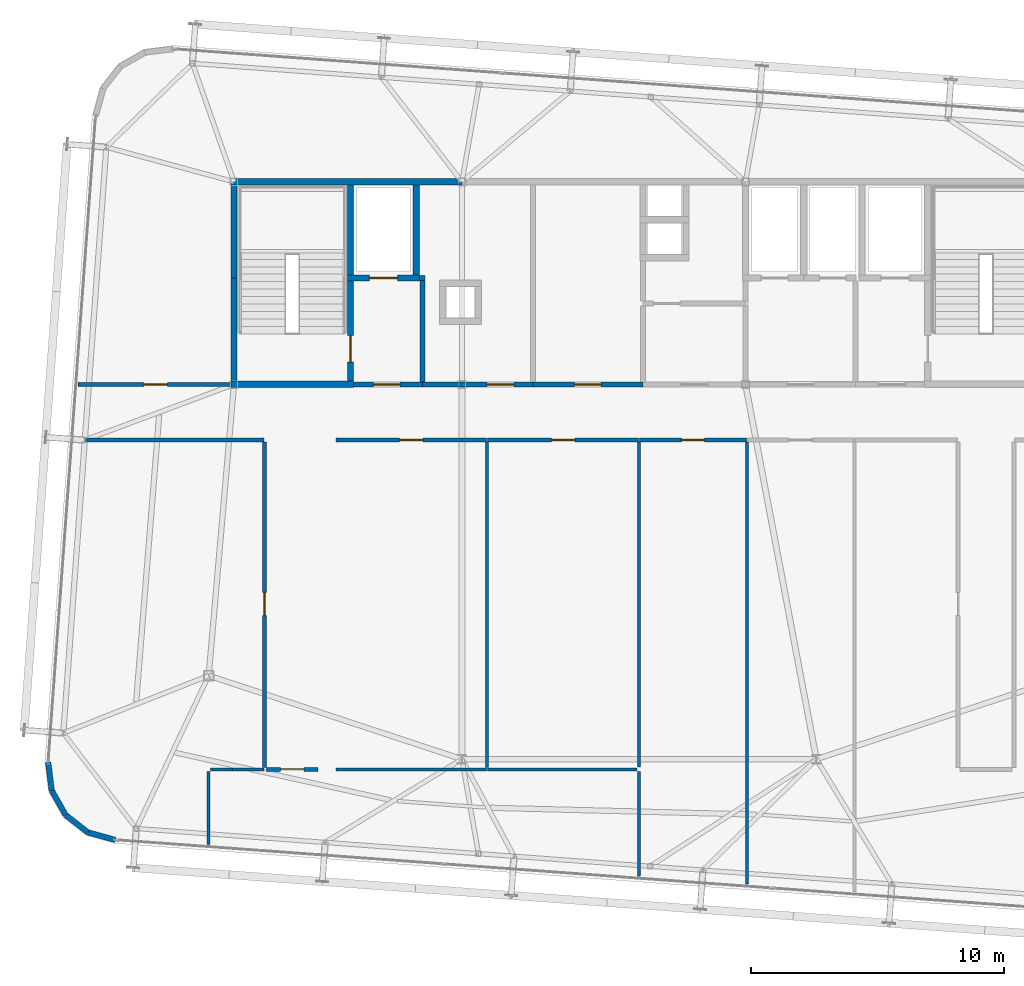
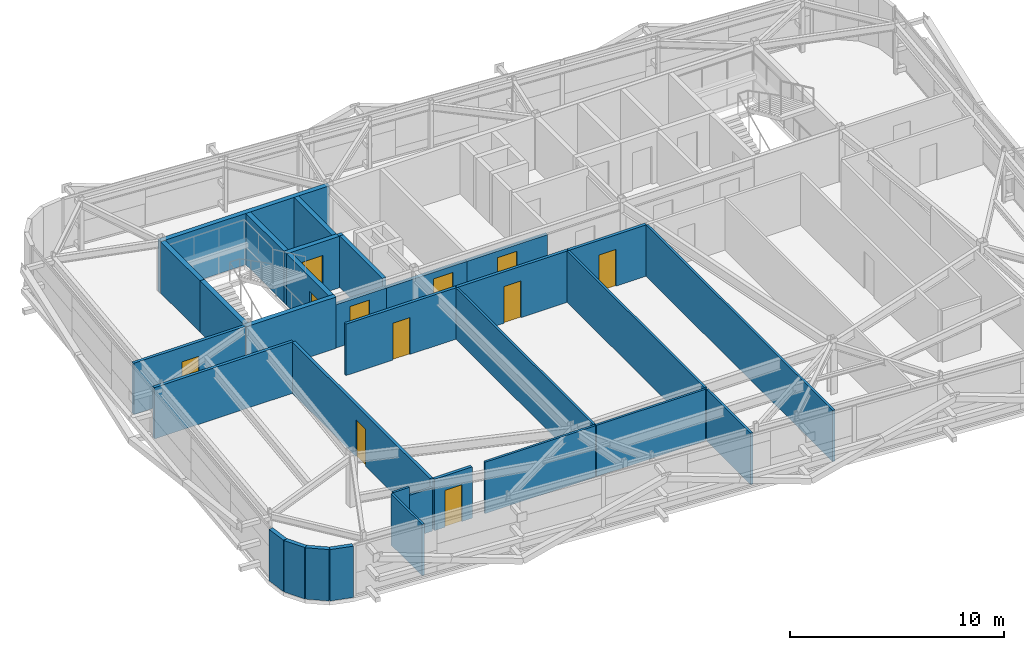
# One storey, part 31 of 34: 33 walls, 11 doors, 11 openings.
"""IFC4 building model written with IfcOpenShell, lengths in metres."""

from ifc_helpers import new_model, si_unit, direction, frame, frame_2d, origin, place, context, subcontext, project, spatial, rectangle, extrude, source, transform, mapped, material, layer, layer_set, type_object, element, fill, save


model = new_model("IFC4")

# Units and contexts
model_context = context("Model", 3, precision=1e-05, world=origin(), true_north=direction((0.0, 1.0)))
body_context = subcontext(model_context, "Body", "Model", "MODEL_VIEW")
ifc_project = project(units=[si_unit("LENGTHUNIT", "METRE"), si_unit("AREAUNIT", "SQUARE_METRE"), si_unit("VOLUMEUNIT", "CUBIC_METRE"), si_unit("PLANEANGLEUNIT", "RADIAN"), si_unit("MASSUNIT", "GRAM", prefix="KILO")], contexts=[model_context])

# Site, building, storey
site_placement = place(None, origin())
site = spatial("IfcSite", under=ifc_project, at=site_placement, CompositionType="ELEMENT")
building_placement = place(site_placement, origin())
building = spatial("IfcBuilding", under=site, at=building_placement, Name="Taldren Reach Tower", CompositionType="ELEMENT")
storey_placement = place(building_placement, frame((0.0, 0.0, 239.75)))
storey = spatial("IfcBuildingStorey", under=building, at=storey_placement, Name="L73", CompositionType="ELEMENT", Elevation=239.75)

# Walls
ifc_material_1 = material(Name="Pale Champagne Anodised Aluminium Cladding", Category="aluminium")
ifc_layer_1 = layer(ifc_material_1, 0.04, Name="Pale Champagne Anodised Aluminium Cladding", Category="aluminium")
ifc_material_2 = material(Name="Mineral Wool Acoustic Insulation", Category="insulation")
ifc_layer_2 = layer(ifc_material_2, 0.06, Name="Mineral Wool Acoustic Insulation", Category="insulation")
ifc_material_3 = material(Name="Steel Gr 350 (C350L0)", Category="steel")
ifc_layer_3 = layer(ifc_material_3, 0.12, Name="Steel Gr 350 (C350L0)", Category="steel")
ifc_layer_set_1 = layer_set([ifc_layer_1, ifc_layer_2, ifc_layer_3], Name="Pale Champagne Aluminium Cladding and Steel Gr 350 Stud Framing")
wall_type_1 = type_object("IfcWallType", Name="EW-CRN-220", PredefinedType="SOLIDWALL", material=ifc_layer_set_1)
shared_shape_1 = source(origin(), body_context, "Body", "SweptSolid", [
    extrude(rectangle(XDim=1.115966796875, YDim=0.219970703125, at=frame_2d((0.55810546875, 0.0))), origin(), (0.0, 0.0, 1.0), 2.929931640625),
])
for number, where, z_axis, x_axis, name in (
    (1, (11.66259765625, 9.072021484375, 0.0), (0.0, 0.0, 1.0), (0.122742076028, -0.992438604032, 0.0), "Rounded-corner pale-metal facade wall L73-SW1"),
    (2, (11.799560546875, 7.964599609375, 0.0), (0.0, 0.0, 1.0), (0.493073284892, -0.869987779067, 0.0), "Rounded-corner pale-metal facade wall L73-SW2"),
    (3, (12.349853515625, 6.99365234375, 0.0), (0.0, 0.0, 1.0), (0.788597772321, -0.614909386406, 0.0), "Rounded-corner pale-metal facade wall L73-SW3"),
):
    element("IfcWall", number, at=place(storey_placement, frame(where, z_axis=z_axis, x_axis=x_axis)), inside=storey, type_object=wall_type_1, Name=name, PredefinedType="SOLIDWALL", context=body_context, shape_type="MappedRepresentation", body=[
        mapped(shared_shape_1, transform((0.0, 0.0, 0.0), scale=1.0)),
    ])
shared_shape_2 = source(origin(), body_context, "Body", "SweptSolid", [
    extrude(rectangle(XDim=1.11572265625, YDim=0.219970703125, at=frame_2d((0.557861328125, 0.0))), origin(), (0.0, 0.0, 1.0), 2.929931640625),
])
wall_1_placement = place(storey_placement, frame((13.22998046875, 6.307373046875, 0.0), z_axis=(0.0, 0.0, 1.0), x_axis=(0.963890028874, -0.266300605026, 0.0)))
element("IfcWall", 4, at=wall_1_placement, inside=storey, type_object=wall_type_1, Name="Rounded-corner pale-metal facade wall L73-SW4", PredefinedType="SOLIDWALL", context=body_context, shape_type="MappedRepresentation", body=[
    mapped(shared_shape_2, transform((0.0, 0.0, 0.0), scale=1.0)),
])

# Wall, opening, door
ifc_material_4 = material(Name="Concrete S50 (50 MPa)", Category="concrete")
ifc_layer_4 = layer(ifc_material_4, 0.199951171875)
ifc_layer_set_2 = layer_set([ifc_layer_4], Name="Concrete S50 (50 MPa)")
wall_type_2 = type_object("IfcWallType", Name="IW-CORE-200", PredefinedType="SOLIDWALL", material=ifc_layer_set_2)
shared_shape_3 = source(origin(), body_context, "Body", "SweptSolid", [
    extrude(rectangle(XDim=4.35009765625, YDim=0.199951171875, at=frame_2d((2.175048828125, 0.0))), origin(), (0.0, 0.0, 1.0), 2.469970703125),
])
wall_2_placement = place(storey_placement, frame((30.800048828125, 24.0, 0.0), z_axis=(0.0, 0.0, 1.0), x_axis=(-1.0, 0.0, 0.0)))
wall_2 = element("IfcWall", 5, at=wall_2_placement, inside=storey, type_object=wall_type_2, Name="Rear Core Shear Wall W-INT-L73-033", PredefinedType="SOLIDWALL", context=body_context, shape_type="MappedRepresentation", body=[
    mapped(shared_shape_3, transform((0.0, 0.0, 0.0), scale=1.0)),
])
shared_shape_4 = source(origin(), body_context, "Body", "SweptSolid", [
    extrude(rectangle(XDim=1.050048828125, YDim=2.10009765625, at=frame_2d((0.52490234375, 1.050048828125))), frame((0.0, 0.10986328125, 0.0), z_axis=(0.0, -1.0, 0.0), x_axis=(1.0, 0.0, 0.0)), (0.0, 0.0, 1.0), 0.219970703125),
])
opening_1_placement = place(wall_2_placement, frame((0.75, 0.0, 0.0)))
opening_1 = element("IfcOpeningElement", 6, at=opening_1_placement, cuts=wall_2, Name="Opening DF-105", PredefinedType="OPENING", context=body_context, shape_type="MappedRepresentation", body=[
    mapped(shared_shape_4, transform((0.0, 0.0, 0.0), scale=1.0)),
])
ifc_material_5 = material(Name="Fire-Rated Care and Stair Exit Door")
door_type_1 = type_object("IfcDoorType", Name="ID-FIRE-105", OperationType="NOTDEFINED", PredefinedType="DOOR", material=ifc_material_5)
shared_shape_5 = source(origin(), body_context, "Body", "SweptSolid", [
    extrude(rectangle(XDim=1.050048828125, YDim=2.10009765625, at=frame_2d((0.52490234375, 1.050048828125))), frame((0.0, 0.02490234375, 0.0), z_axis=(0.0, -1.0, 0.0), x_axis=(1.0, 0.0, 0.0)), (0.0, 0.0, 1.0), 0.050048828125),
])
door_1_placement = place(opening_1_placement, frame((1.050048828125, 0.0, 0.0), z_axis=(0.0, 0.0, 1.0), x_axis=(-1.0, 0.0, 0.0)))
door_1 = element("IfcDoor", 7, at=door_1_placement, inside=storey, type_object=door_type_1, Name="Interior Door DR-L73-006", OperationType="SINGLE_SWING_RIGHT", OverallHeight=2.10009765625, OverallWidth=1.050048828125, PredefinedType="DOOR", context=body_context, shape_type="MappedRepresentation", body=[
    mapped(shared_shape_5, transform((0.0, 0.0, 0.0), scale=1.0)),
])
fill(opening_1, door_1)

ifc_material_6 = material(Name="Fire-Rated Acoustic Plasterboard Stud Wall", Category="gypsum")
ifc_layer_5 = layer(ifc_material_6, 0.159912109375)
ifc_layer_set_3 = layer_set([ifc_layer_5], Name="Fire-Rated Acoustic Plasterboard Stud Wall")
wall_type_3 = type_object("IfcWallType", Name="IW-FIRE-160", PredefinedType="PARTITIONING", material=ifc_layer_set_3)
shared_shape_6 = source(origin(), body_context, "Body", "SweptSolid", [
    extrude(rectangle(XDim=2.0400390625, YDim=0.159912109375, at=frame_2d((1.02001953125, 0.0))), origin(), (0.0, 0.0, 1.0), 2.929931640625),
])
wall_3_placement = place(storey_placement, frame((22.320068359375, 8.800048828125, 0.0), z_axis=(0.0, 0.0, 1.0), x_axis=(-1.0, 0.0, 0.0)))
wall_3 = element("IfcWall", 8, at=wall_3_placement, inside=storey, type_object=wall_type_3, Name="Interior Partition Wall W-INT-L73-039", PredefinedType="PARTITIONING", context=body_context, shape_type="MappedRepresentation", body=[
    mapped(shared_shape_6, transform((0.0, 0.0, 0.0), scale=1.0)),
])
shared_shape_7 = source(origin(), body_context, "Body", "SweptSolid", [
    extrude(rectangle(XDim=0.919921875, YDim=2.10009765625, at=frame_2d((0.4599609375, 1.050048828125))), frame((0.0, 0.08984375, 0.0), z_axis=(0.0, -1.0, 0.0), x_axis=(1.0, 0.0, 0.0)), (0.0, 0.0, 1.0), 0.179931640625),
])
opening_2_placement = place(wall_3_placement, frame((0.56005859375, 0.0, 0.0)))
opening_2 = element("IfcOpeningElement", 9, at=opening_2_placement, cuts=wall_3, Name="Opening DI-092", PredefinedType="OPENING", context=body_context, shape_type="MappedRepresentation", body=[
    mapped(shared_shape_7, transform((0.0, 0.0, 0.0), scale=1.0)),
])
ifc_material_7 = material(Name="Solid-Core Timber Suite Door", Category="wood")
door_type_2 = type_object("IfcDoorType", Name="ID-INT-092", OperationType="NOTDEFINED", PredefinedType="DOOR", material=ifc_material_7)
shared_shape_8 = source(origin(), body_context, "Body", "SweptSolid", [
    extrude(rectangle(XDim=0.919921875, YDim=2.10009765625, at=frame_2d((0.4599609375, 1.050048828125))), frame((0.0, 0.02490234375, 0.0), z_axis=(0.0, -1.0, 0.0), x_axis=(1.0, 0.0, 0.0)), (0.0, 0.0, 1.0), 0.050048828125),
])
door_2_placement = place(opening_2_placement, origin())
door_2 = element("IfcDoor", 10, at=door_2_placement, inside=storey, type_object=door_type_2, Name="Interior Door DR-L73-010", OperationType="SINGLE_SWING_LEFT", OverallHeight=2.10009765625, OverallWidth=0.919921875, PredefinedType="DOOR", context=body_context, shape_type="MappedRepresentation", body=[
    mapped(shared_shape_8, transform((0.0, 0.0, 0.0), scale=1.0)),
])
fill(opening_2, door_2)

shared_shape_9 = source(origin(), body_context, "Body", "SweptSolid", [
    extrude(rectangle(XDim=4.349853515625, YDim=0.199951171875, at=frame_2d((2.1748046875, 0.0))), origin(), (0.0, 0.0, 1.0), 2.469970703125),
])
wall_4_placement = place(storey_placement, frame((35.14990234375, 24.0, 0.0), z_axis=(0.0, 0.0, 1.0), x_axis=(-1.0, 0.0, 0.0)))
wall_4 = element("IfcWall", 11, at=wall_4_placement, inside=storey, type_object=wall_type_2, Name="Rear Core Shear Wall W-INT-L73-036", PredefinedType="SOLIDWALL", context=body_context, shape_type="MappedRepresentation", body=[
    mapped(shared_shape_9, transform((0.0, 0.0, 0.0), scale=1.0)),
])
opening_3_placement = place(wall_4_placement, frame((1.64990234375, 0.0, 0.0)))
opening_3 = element("IfcOpeningElement", 12, at=opening_3_placement, cuts=wall_4, Name="Opening DF-105", PredefinedType="OPENING", context=body_context, shape_type="MappedRepresentation", body=[
    mapped(shared_shape_4, transform((0.0, 0.0, 0.0), scale=1.0)),
])
door_3_placement = place(opening_3_placement, frame((1.050048828125, 0.0, 0.0), z_axis=(0.0, 0.0, 1.0), x_axis=(-1.0, 0.0, 0.0)))
door_3 = element("IfcDoor", 13, at=door_3_placement, inside=storey, type_object=door_type_1, Name="Interior Door DR-L73-007", OperationType="SINGLE_SWING_LEFT", OverallHeight=2.10009765625, OverallWidth=1.050048828125, PredefinedType="DOOR", context=body_context, shape_type="MappedRepresentation", body=[
    mapped(shared_shape_5, transform((0.0, 0.0, 0.0), scale=1.0)),
])
fill(opening_3, door_3)

shared_shape_10 = source(origin(), body_context, "Body", "SweptSolid", [
    extrude(rectangle(XDim=5.95947265625, YDim=0.159912109375, at=frame_2d((2.979736328125, 0.0))), origin(), (0.0, 0.0, 1.0), 2.929931640625),
])
wall_5_placement = place(storey_placement, frame((28.979736328125, 21.800048828125, 0.0), z_axis=(0.0, 0.0, 1.0), x_axis=(-1.0, 0.0, 0.0)))
wall_5 = element("IfcWall", 14, at=wall_5_placement, inside=storey, type_object=wall_type_3, Name="Interior Partition Wall W-INT-L73-043", PredefinedType="PARTITIONING", context=body_context, shape_type="MappedRepresentation", body=[
    mapped(shared_shape_10, transform((0.0, 0.0, 0.0), scale=1.0)),
])
opening_4_placement = place(wall_5_placement, frame((2.519775390625, 0.0, 0.0)))
opening_4 = element("IfcOpeningElement", 15, at=opening_4_placement, cuts=wall_5, Name="Opening DI-092", PredefinedType="OPENING", context=body_context, shape_type="MappedRepresentation", body=[
    mapped(shared_shape_7, transform((0.0, 0.0, 0.0), scale=1.0)),
])
door_4_placement = place(opening_4_placement, origin())
door_4 = element("IfcDoor", 16, at=door_4_placement, inside=storey, type_object=door_type_2, Name="Interior Door DR-L73-013", OperationType="SINGLE_SWING_RIGHT", OverallHeight=2.10009765625, OverallWidth=0.919921875, PredefinedType="DOOR", context=body_context, shape_type="MappedRepresentation", body=[
    mapped(shared_shape_8, transform((0.0, 0.0, 0.0), scale=1.0)),
])
fill(opening_4, door_4)

wall_6_placement = place(storey_placement, frame((34.979736328125, 21.800048828125, 0.0), z_axis=(0.0, 0.0, 1.0), x_axis=(-1.0, 0.0, 0.0)))
wall_6 = element("IfcWall", 17, at=wall_6_placement, inside=storey, type_object=wall_type_3, Name="Interior Partition Wall W-INT-L73-044", PredefinedType="PARTITIONING", context=body_context, shape_type="MappedRepresentation", body=[
    mapped(shared_shape_10, transform((0.0, 0.0, 0.0), scale=1.0)),
])
opening_5_placement = place(wall_6_placement, frame((2.519775390625, 0.0, 0.0)))
opening_5 = element("IfcOpeningElement", 18, at=opening_5_placement, cuts=wall_6, Name="Opening DI-092", PredefinedType="OPENING", context=body_context, shape_type="MappedRepresentation", body=[
    mapped(shared_shape_7, transform((0.0, 0.0, 0.0), scale=1.0)),
])
door_5_placement = place(opening_5_placement, origin())
door_5 = element("IfcDoor", 19, at=door_5_placement, inside=storey, type_object=door_type_2, Name="Interior Door DR-L73-014", OperationType="SINGLE_SWING_LEFT", OverallHeight=2.10009765625, OverallWidth=0.919921875, PredefinedType="DOOR", context=body_context, shape_type="MappedRepresentation", body=[
    mapped(shared_shape_8, transform((0.0, 0.0, 0.0), scale=1.0)),
])
fill(opening_5, door_5)

# Walls
shared_shape_11 = source(origin(), body_context, "Body", "SweptSolid", [
    extrude(rectangle(XDim=4.0, YDim=0.199951171875, at=frame_2d((2.0, 0.0))), origin(), (0.0, 0.0, 1.0), 2.929931640625),
])
wall_7_placement = place(storey_placement, frame((26.449951171875, 24.10009765625, 0.0), z_axis=(0.0, 0.0, 1.0), x_axis=(0.0, 1.0, 0.0)))
element("IfcWall", 20, at=wall_7_placement, inside=storey, type_object=wall_type_2, Name="Rear Core Shear Wall W-INT-L73-006", PredefinedType="SOLIDWALL", context=body_context, shape_type="MappedRepresentation", body=[
    mapped(shared_shape_11, transform((0.0, 0.0, 0.0), scale=1.0)),
])
ifc_material_8 = material(Name="Concrete S65 (65 MPa)", Category="concrete")
ifc_layer_6 = layer(ifc_material_8, 0.25)
ifc_layer_set_4 = layer_set([ifc_layer_6], Name="Concrete S65 (65 MPa)")
wall_type_4 = type_object("IfcWallType", Name="IW-CORE-250", PredefinedType="SHEAR", material=ifc_layer_set_4)
shared_shape_12 = source(origin(), body_context, "Body", "SweptSolid", [
    extrude(rectangle(XDim=9.125, YDim=0.25, at=frame_2d((4.5625, 0.0))), origin(), (0.0, 0.0, 1.0), 2.929931640625),
])
wall_8_placement = place(storey_placement, frame((18.875, 32.0, 0.0), z_axis=(0.0, 0.0, 1.0), x_axis=(1.0, 0.0, 0.0)))
element("IfcWall", 21, at=wall_8_placement, inside=storey, type_object=wall_type_4, Name="Rear Core Shear Wall W-CORE-L73-NORTH1", PredefinedType="SHEAR", context=body_context, shape_type="MappedRepresentation", body=[
    mapped(shared_shape_12, transform((0.0, 0.0, 0.0), scale=1.0)),
])
shared_shape_13 = source(origin(), body_context, "Body", "SweptSolid", [
    extrude(rectangle(XDim=4.074951171875, YDim=0.25, at=frame_2d((2.03759765625, 0.0))), origin(), (0.0, 0.0, 1.0), 2.929931640625),
])
wall_9_placement = place(storey_placement, frame((19.0, 24.125, 0.0), z_axis=(0.0, 0.0, 1.0), x_axis=(0.0, 1.0, 0.0)))
element("IfcWall", 22, at=wall_9_placement, inside=storey, type_object=wall_type_4, Name="Rear Core Shear Wall W-CORE-L73-WEST1", PredefinedType="SHEAR", context=body_context, shape_type="MappedRepresentation", body=[
    mapped(shared_shape_13, transform((0.0, 0.0, 0.0), scale=1.0)),
])
shared_shape_14 = source(origin(), body_context, "Body", "SweptSolid", [
    extrude(rectangle(XDim=3.675048828125, YDim=0.25, at=frame_2d((1.83740234375, 0.0))), origin(), (0.0, 0.0, 1.0), 2.929931640625),
])
wall_10_placement = place(storey_placement, frame((19.0, 28.199951171875, 0.0), z_axis=(0.0, 0.0, 1.0), x_axis=(0.0, 1.0, 0.0)))
element("IfcWall", 23, at=wall_10_placement, inside=storey, type_object=wall_type_4, Name="Rear Core Shear Wall W-CORE-L73-WEST2", PredefinedType="SHEAR", context=body_context, shape_type="MappedRepresentation", body=[
    mapped(shared_shape_14, transform((0.0, 0.0, 0.0), scale=1.0)),
])
shared_shape_15 = source(origin(), body_context, "Body", "SweptSolid", [
    extrude(rectangle(XDim=3.550048828125, YDim=0.25, at=frame_2d((1.77490234375, 0.0))), origin(), (0.0, 0.0, 1.0), 2.929931640625),
])
for number, where, z_axis, x_axis, name in (
    (24, (23.60009765625, 28.324951171875, 0.0), (0.0, 0.0, 1.0), (0.0, 1.0, 0.0), "Rear Core Shear Wall W-INT-L73-001"),
    (25, (26.199951171875, 28.324951171875, 0.0), (0.0, 0.0, 1.0), (0.0, 1.0, 0.0), "Rear Core Shear Wall W-INT-L73-005"),
):
    element("IfcWall", number, at=place(storey_placement, frame(where, z_axis=z_axis, x_axis=x_axis)), inside=storey, type_object=wall_type_4, Name=name, PredefinedType="SHEAR", context=body_context, shape_type="MappedRepresentation", body=[
        mapped(shared_shape_15, transform((0.0, 0.0, 0.0), scale=1.0)),
    ])

# Wall, opening, door
shared_shape_16 = source(origin(), body_context, "Body", "SweptSolid", [
    extrude(rectangle(XDim=3.949951171875, YDim=0.25, at=frame_2d((1.97509765625, 0.0))), origin(), (0.0, 0.0, 1.0), 2.929931640625),
])
wall_11_placement = place(storey_placement, frame((23.60009765625, 24.125, 0.0), z_axis=(0.0, 0.0, 1.0), x_axis=(0.0, 1.0, 0.0)))
wall_11 = element("IfcWall", 26, at=wall_11_placement, inside=storey, type_object=wall_type_4, Name="Rear Core Shear Wall W-INT-L73-002", PredefinedType="SHEAR", context=body_context, shape_type="MappedRepresentation", body=[
    mapped(shared_shape_16, transform((0.0, 0.0, 0.0), scale=1.0)),
])
shared_shape_17 = source(origin(), body_context, "Body", "SweptSolid", [
    extrude(rectangle(XDim=1.050048828125, YDim=2.10009765625, at=frame_2d((0.52490234375, 1.050048828125))), frame((0.0, 0.135009765625, 0.0), z_axis=(0.0, -1.0, 0.0), x_axis=(1.0, 0.0, 0.0)), (0.0, 0.0, 1.0), 0.27001953125),
])
opening_6_placement = place(wall_11_placement, frame((0.75, 0.0, 0.0)))
opening_6 = element("IfcOpeningElement", 27, at=opening_6_placement, cuts=wall_11, Name="Opening DF-105", PredefinedType="OPENING", context=body_context, shape_type="MappedRepresentation", body=[
    mapped(shared_shape_17, transform((0.0, 0.0, 0.0), scale=1.0)),
])
door_6_placement = place(opening_6_placement, origin())
door_6 = element("IfcDoor", 28, at=door_6_placement, inside=storey, type_object=door_type_1, Name="Fire Exit Stair Door DR-L73-001", OperationType="SINGLE_SWING_LEFT", OverallHeight=2.10009765625, OverallWidth=1.050048828125, PredefinedType="DOOR", context=body_context, shape_type="MappedRepresentation", body=[
    mapped(shared_shape_5, transform((0.0, 0.0, 0.0), scale=1.0)),
])
fill(opening_6, door_6)

# Wall
shared_shape_18 = source(origin(), body_context, "Body", "SweptSolid", [
    extrude(rectangle(XDim=4.85009765625, YDim=0.25, at=frame_2d((2.425048828125, 0.0))), origin(), (0.0, 0.0, 1.0), 2.929931640625),
])
wall_12_placement = place(storey_placement, frame((18.875, 24.0, 0.0), z_axis=(0.0, 0.0, 1.0), x_axis=(1.0, 0.0, 0.0)))
element("IfcWall", 29, at=wall_12_placement, inside=storey, type_object=wall_type_4, Name="Rear Core Shear Wall W-INT-L73-003", PredefinedType="SHEAR", context=body_context, shape_type="MappedRepresentation", body=[
    mapped(shared_shape_18, transform((0.0, 0.0, 0.0), scale=1.0)),
])

# Wall, opening, door
shared_shape_19 = source(origin(), body_context, "Body", "SweptSolid", [
    extrude(rectangle(XDim=2.849853515625, YDim=0.25, at=frame_2d((1.4248046875, 0.0))), origin(), (0.0, 0.0, 1.0), 2.929931640625),
])
wall_13_placement = place(storey_placement, frame((23.47509765625, 28.199951171875, 0.0), z_axis=(0.0, 0.0, 1.0), x_axis=(1.0, 0.0, 0.0)))
wall_13 = element("IfcWall", 30, at=wall_13_placement, inside=storey, type_object=wall_type_4, Name="Rear Core Shear Wall W-INT-L73-004", PredefinedType="SHEAR", context=body_context, shape_type="MappedRepresentation", body=[
    mapped(shared_shape_19, transform((0.0, 0.0, 0.0), scale=1.0)),
])
shared_shape_20 = source(origin(), body_context, "Body", "SweptSolid", [
    extrude(rectangle(XDim=1.10009765625, YDim=2.14990234375, at=frame_2d((0.550048828125, 1.074951171875))), frame((0.0, 0.135009765625, 0.0), z_axis=(0.0, -1.0, 0.0), x_axis=(1.0, 0.0, 0.0)), (0.0, 0.0, 1.0), 0.27001953125),
])
opening_7_placement = place(wall_13_placement, frame((0.875, 0.0, 0.0)))
opening_7 = element("IfcOpeningElement", 31, at=opening_7_placement, cuts=wall_13, Name="Opening LD-FL1", PredefinedType="OPENING", context=body_context, shape_type="MappedRepresentation", body=[
    mapped(shared_shape_20, transform((0.0, 0.0, 0.0), scale=1.0)),
])
ifc_material_9 = material(Name="Stainless Steel Gr 316 Emergency Lift Landing Door", Category="steel")
door_type_3 = type_object("IfcDoorType", Name="LD-EMG-110", OperationType="SLIDING_TO_LEFT", PredefinedType="DOOR", material=ifc_material_9)
shared_shape_21 = source(origin(), body_context, "Body", "SweptSolid", [
    extrude(rectangle(XDim=1.10009765625, YDim=2.14990234375, at=frame_2d((0.550048828125, 1.074951171875))), frame((0.0, 0.02490234375, 0.0), z_axis=(0.0, -1.0, 0.0), x_axis=(1.0, 0.0, 0.0)), (0.0, 0.0, 1.0), 0.050048828125),
])
door_7_placement = place(opening_7_placement, origin())
door_7 = element("IfcDoor", 32, at=door_7_placement, inside=storey, type_object=door_type_3, Name="Lift Landing Door LD-FL1-L73", OperationType="SLIDING_TO_LEFT", OverallHeight=2.14990234375, OverallWidth=1.10009765625, PredefinedType="DOOR", context=body_context, shape_type="MappedRepresentation", body=[
    mapped(shared_shape_21, transform((0.0, 0.0, 0.0), scale=1.0)),
])
fill(opening_7, door_7)

shared_shape_22 = source(origin(), body_context, "Body", "SweptSolid", [
    extrude(rectangle(XDim=2.724853515625, YDim=0.199951171875, at=frame_2d((1.3623046875, 0.0))), origin(), (0.0, 0.0, 1.0), 2.469970703125),
])
wall_14_placement = place(storey_placement, frame((23.72509765625, 24.0, 0.0), z_axis=(0.0, 0.0, 1.0), x_axis=(1.0, 0.0, 0.0)))
wall_14 = element("IfcWall", 33, at=wall_14_placement, inside=storey, type_object=wall_type_2, Name="Rear Core Shear Wall W-INT-L73-007", PredefinedType="SOLIDWALL", context=body_context, shape_type="MappedRepresentation", body=[
    mapped(shared_shape_22, transform((0.0, 0.0, 0.0), scale=1.0)),
])
opening_8_placement = place(wall_14_placement, frame((0.77490234375, 0.0, 0.0)))
opening_8 = element("IfcOpeningElement", 34, at=opening_8_placement, cuts=wall_14, Name="Opening DF-105", PredefinedType="OPENING", context=body_context, shape_type="MappedRepresentation", body=[
    mapped(shared_shape_4, transform((0.0, 0.0, 0.0), scale=1.0)),
])
door_8_placement = place(opening_8_placement, origin())
door_8 = element("IfcDoor", 35, at=door_8_placement, inside=storey, type_object=door_type_1, Name="Interior Door DR-L73-002", OperationType="SINGLE_SWING_LEFT", OverallHeight=2.10009765625, OverallWidth=1.050048828125, PredefinedType="DOOR", context=body_context, shape_type="MappedRepresentation", body=[
    mapped(shared_shape_5, transform((0.0, 0.0, 0.0), scale=1.0)),
])
fill(opening_8, door_8)

shared_shape_23 = source(origin(), body_context, "Body", "SweptSolid", [
    extrude(rectangle(XDim=12.840087890625, YDim=0.159912109375, at=frame_2d((6.419921875, 0.0))), origin(), (0.0, 0.0, 1.0), 2.929931640625),
])
wall_15_placement = place(storey_placement, frame((20.199951171875, 8.8798828125, 0.0), z_axis=(0.0, 0.0, 1.0), x_axis=(0.0, 1.0, 0.0)))
wall_15 = element("IfcWall", 36, at=wall_15_placement, inside=storey, type_object=wall_type_3, Name="Interior Partition Wall W-INT-L73-041", PredefinedType="PARTITIONING", context=body_context, shape_type="MappedRepresentation", body=[
    mapped(shared_shape_23, transform((0.0, 0.0, 0.0), scale=1.0)),
])
opening_9_placement = place(wall_15_placement, frame((5.98974609375, 0.0, 0.0)))
opening_9 = element("IfcOpeningElement", 37, at=opening_9_placement, cuts=wall_15, Name="Opening DI-092", PredefinedType="OPENING", context=body_context, shape_type="MappedRepresentation", body=[
    mapped(shared_shape_7, transform((0.0, 0.0, 0.0), scale=1.0)),
])
door_9_placement = place(opening_9_placement, origin())
door_9 = element("IfcDoor", 38, at=door_9_placement, inside=storey, type_object=door_type_2, Name="Interior Door DR-L73-012", OperationType="SINGLE_SWING_LEFT", OverallHeight=2.10009765625, OverallWidth=0.919921875, PredefinedType="DOOR", context=body_context, shape_type="MappedRepresentation", body=[
    mapped(shared_shape_8, transform((0.0, 0.0, 0.0), scale=1.0)),
])
fill(opening_9, door_9)

# Walls
ifc_material_10 = material(Name="Insulated Residential Stud Partition", Category="gypsum")
ifc_layer_7 = layer(ifc_material_10, 0.1201171875)
ifc_layer_set_5 = layer_set([ifc_layer_7], Name="Insulated Residential Stud Partition")
wall_type_5 = type_object("IfcWallType", Name="IW-PART-120", PredefinedType="PARTITIONING", material=ifc_layer_set_5)
shared_shape_24 = source(origin(), body_context, "Body", "SweptSolid", [
    extrude(rectangle(XDim=12.840087890625, YDim=0.1201171875, at=frame_2d((6.419921875, 0.0))), origin(), (0.0, 0.0, 1.0), 2.929931640625),
])
wall_16_placement = place(storey_placement, frame((29.0, 21.719970703125, 0.0), z_axis=(0.0, 0.0, 1.0), x_axis=(0.0, -1.0, 0.0)))
element("IfcWall", 39, at=wall_16_placement, inside=storey, type_object=wall_type_5, Name="Interior Partition Wall W-INT-L73-059", PredefinedType="PARTITIONING", context=body_context, shape_type="MappedRepresentation", body=[
    mapped(shared_shape_24, transform((0.0, 0.0, 0.0), scale=1.0)),
])
shared_shape_25 = source(origin(), body_context, "Body", "SweptSolid", [
    extrude(rectangle(XDim=0.22509765625, YDim=0.199951171875, at=frame_2d((0.112548828125, 0.0))), origin(), (0.0, 0.0, 1.0), 2.929931640625),
])
wall_17_placement = place(storey_placement, frame((26.324951171875, 28.199951171875, 0.0), z_axis=(0.0, 0.0, 1.0), x_axis=(1.0, 0.0, 0.0)))
element("IfcWall", 40, at=wall_17_placement, inside=storey, type_object=wall_type_2, Name="Rear Core Partition Wall W-INT-L73-064", PredefinedType="SOLIDWALL", context=body_context, shape_type="MappedRepresentation", body=[
    mapped(shared_shape_25, transform((0.0, 0.0, 0.0), scale=1.0)),
])
shared_shape_26 = source(origin(), body_context, "Body", "SweptSolid", [
    extrude(rectangle(XDim=12.8359375, YDim=0.1201171875, at=frame_2d((6.41796875, 0.0))), origin(), (0.0, 0.0, 1.0), 2.929931640625),
])
wall_18_placement = place(storey_placement, frame((35.0, 21.718017578125, 0.0), z_axis=(0.0, 0.0, 1.0), x_axis=(0.0, -1.0, 0.0)))
element("IfcWall", 41, at=wall_18_placement, inside=storey, type_object=wall_type_5, Name="Interior Partition Wall W-INT-L73-060", PredefinedType="PARTITIONING", context=body_context, shape_type="MappedRepresentation", body=[
    mapped(shared_shape_26, transform((0.0, 0.0, 0.0), scale=1.0)),
])

# Wall, opening, door
shared_shape_27 = source(origin(), body_context, "Body", "SweptSolid", [
    extrude(rectangle(XDim=4.20947265625, YDim=0.159912109375, at=frame_2d((2.104736328125, 0.0))), origin(), (0.0, 0.0, 1.0), 2.929931640625),
])
wall_19_placement = place(storey_placement, frame((39.229736328125, 21.800048828125, 0.0), z_axis=(0.0, 0.0, 1.0), x_axis=(-1.0, 0.0, 0.0)))
wall_19 = element("IfcWall", 42, at=wall_19_placement, inside=storey, type_object=wall_type_3, Name="Interior Partition Wall W-INT-L73-046", PredefinedType="PARTITIONING", context=body_context, shape_type="MappedRepresentation", body=[
    mapped(shared_shape_27, transform((0.0, 0.0, 0.0), scale=1.0)),
])
opening_10_placement = place(wall_19_placement, frame((1.644775390625, 0.0, 0.0)))
opening_10 = element("IfcOpeningElement", 43, at=opening_10_placement, cuts=wall_19, Name="Opening DI-092", PredefinedType="OPENING", context=body_context, shape_type="MappedRepresentation", body=[
    mapped(shared_shape_7, transform((0.0, 0.0, 0.0), scale=1.0)),
])
door_10_placement = place(opening_10_placement, origin())
door_10 = element("IfcDoor", 44, at=door_10_placement, inside=storey, type_object=door_type_2, Name="Interior Door DR-L73-016", OperationType="SINGLE_SWING_LEFT", OverallHeight=2.10009765625, OverallWidth=0.919921875, PredefinedType="DOOR", context=body_context, shape_type="MappedRepresentation", body=[
    mapped(shared_shape_8, transform((0.0, 0.0, 0.0), scale=1.0)),
])
fill(opening_10, door_10)

shared_shape_28 = source(origin(), body_context, "Body", "SweptSolid", [
    extrude(rectangle(XDim=6.03173828125, YDim=0.159912109375, at=frame_2d((3.015869140625, 0.0))), origin(), (0.0, 0.0, 1.0), 2.929931640625),
])
wall_20_placement = place(storey_placement, frame((12.84326171875, 24.0, 0.0), z_axis=(0.0, 0.0, 1.0), x_axis=(1.0, 0.0, 0.0)))
wall_20 = element("IfcWall", 45, at=wall_20_placement, inside=storey, type_object=wall_type_3, Name="Interior Partition Wall W-INT-L73-040", PredefinedType="PARTITIONING", context=body_context, shape_type="MappedRepresentation", body=[
    mapped(shared_shape_28, transform((0.0, 0.0, 0.0), scale=1.0)),
])
opening_11_placement = place(wall_20_placement, frame((2.6083984375, 0.0, 0.0)))
opening_11 = element("IfcOpeningElement", 46, at=opening_11_placement, cuts=wall_20, Name="Opening DI-092", PredefinedType="OPENING", context=body_context, shape_type="MappedRepresentation", body=[
    mapped(shared_shape_7, transform((0.0, 0.0, 0.0), scale=1.0)),
])
door_11_placement = place(opening_11_placement, origin())
door_11 = element("IfcDoor", 47, at=door_11_placement, inside=storey, type_object=door_type_2, Name="Interior Door DR-L73-011", OperationType="SINGLE_SWING_RIGHT", OverallHeight=2.10009765625, OverallWidth=0.919921875, PredefinedType="DOOR", context=body_context, shape_type="MappedRepresentation", body=[
    mapped(shared_shape_8, transform((0.0, 0.0, 0.0), scale=1.0)),
])
fill(opening_11, door_11)

# Walls
shared_shape_29 = source(origin(), body_context, "Body", "SweptSolid", [
    extrude(rectangle(XDim=7.486328125, YDim=0.159912109375, at=frame_2d((3.7431640625, 0.0))), origin(), (0.0, 0.0, 1.0), 2.929931640625),
])
wall_21_placement = place(storey_placement, frame((20.1796875, 21.800048828125, 0.0), z_axis=(0.0, 0.0, 1.0), x_axis=(-1.0, 0.0, 0.0)))
element("IfcWall", 48, at=wall_21_placement, inside=storey, type_object=wall_type_3, Name="Interior Partition Wall W-INT-L73-042", PredefinedType="PARTITIONING", context=body_context, shape_type="MappedRepresentation", body=[
    mapped(shared_shape_29, transform((0.0, 0.0, 0.0), scale=1.0)),
])
shared_shape_30 = source(origin(), body_context, "Body", "SweptSolid", [
    extrude(rectangle(XDim=2.896728515625, YDim=0.1201171875, at=frame_2d((1.4482421875, 0.0))), origin(), (0.0, 0.0, 1.0), 2.929931640625),
])
wall_22_placement = place(storey_placement, frame((18.0, 5.8232421875, 0.0), z_axis=(0.0, 0.0, 1.0), x_axis=(0.0, 1.0, 0.0)))
element("IfcWall", 49, at=wall_22_placement, inside=storey, type_object=wall_type_5, Name="Interior Partition Wall W-INT-L73-054", PredefinedType="PARTITIONING", context=body_context, shape_type="MappedRepresentation", body=[
    mapped(shared_shape_30, transform((0.0, 0.0, 0.0), scale=1.0)),
])
shared_shape_31 = source(origin(), body_context, "Body", "SweptSolid", [
    extrude(rectangle(XDim=0.8603515625, YDim=0.1201171875, at=frame_2d((0.43017578125, 0.0))), origin(), (0.0, 0.0, 1.0), 2.929931640625),
])
wall_23_placement = place(storey_placement, frame((18.080078125, 8.800048828125, 0.0), z_axis=(0.0, 0.0, 1.0), x_axis=(1.0, 0.0, 0.0)))
element("IfcWall", 50, at=wall_23_placement, inside=storey, type_object=wall_type_5, Name="Interior Partition Wall W-INT-L73-055", PredefinedType="PARTITIONING", context=body_context, shape_type="MappedRepresentation", body=[
    mapped(shared_shape_31, transform((0.0, 0.0, 0.0), scale=1.0)),
])
shared_shape_32 = source(origin(), body_context, "Body", "SweptSolid", [
    extrude(rectangle(XDim=1.2392578125, YDim=0.1201171875, at=frame_2d((0.61962890625, 0.0))), origin(), (0.0, 0.0, 1.0), 2.469970703125),
])
wall_24_placement = place(storey_placement, frame((18.9404296875, 8.800048828125, 0.0), z_axis=(0.0, 0.0, 1.0), x_axis=(1.0, 0.0, 0.0)))
element("IfcWall", 51, at=wall_24_placement, inside=storey, type_object=wall_type_5, Name="Interior Partition Wall W-INT-L73-055 part 2", PredefinedType="PARTITIONING", context=body_context, shape_type="MappedRepresentation", body=[
    mapped(shared_shape_32, transform((0.0, 0.0, 0.0), scale=1.0)),
])
shared_shape_33 = source(origin(), body_context, "Body", "SweptSolid", [
    extrude(rectangle(XDim=5.95947265625, YDim=0.1201171875, at=frame_2d((2.979736328125, 0.0))), origin(), (0.0, 0.0, 1.0), 2.929931640625),
])
wall_25_placement = place(storey_placement, frame((23.020263671875, 8.800048828125, 0.0), z_axis=(0.0, 0.0, 1.0), x_axis=(1.0, 0.0, 0.0)))
element("IfcWall", 52, at=wall_25_placement, inside=storey, type_object=wall_type_5, Name="Interior Partition Wall W-INT-L73-056", PredefinedType="PARTITIONING", context=body_context, shape_type="MappedRepresentation", body=[
    mapped(shared_shape_33, transform((0.0, 0.0, 0.0), scale=1.0)),
])
shared_shape_34 = source(origin(), body_context, "Body", "SweptSolid", [
    extrude(rectangle(XDim=5.899658203125, YDim=0.1201171875, at=frame_2d((2.94970703125, 0.0))), origin(), (0.0, 0.0, 1.0), 2.929931640625),
])
wall_26_placement = place(storey_placement, frame((29.020263671875, 8.800048828125, 0.0), z_axis=(0.0, 0.0, 1.0), x_axis=(1.0, 0.0, 0.0)))
element("IfcWall", 53, at=wall_26_placement, inside=storey, type_object=wall_type_5, Name="Interior Partition Wall W-INT-L73-057", PredefinedType="PARTITIONING", context=body_context, shape_type="MappedRepresentation", body=[
    mapped(shared_shape_34, transform((0.0, 0.0, 0.0), scale=1.0)),
])
shared_shape_35 = source(origin(), body_context, "Body", "SweptSolid", [
    extrude(rectangle(XDim=4.13330078125, YDim=0.1201171875, at=frame_2d((2.066650390625, 0.0))), origin(), (0.0, 0.0, 1.0), 2.929931640625),
])
wall_27_placement = place(storey_placement, frame((35.0, 8.719970703125, 0.0), z_axis=(0.0, 0.0, 1.0), x_axis=(0.0, -1.0, 0.0)))
element("IfcWall", 54, at=wall_27_placement, inside=storey, type_object=wall_type_5, Name="Interior Partition Wall W-INT-L73-058", PredefinedType="PARTITIONING", context=body_context, shape_type="MappedRepresentation", body=[
    mapped(shared_shape_35, transform((0.0, 0.0, 0.0), scale=1.0)),
])
shared_shape_36 = source(origin(), body_context, "Body", "SweptSolid", [
    extrude(rectangle(XDim=17.445556640625, YDim=0.1201171875, at=frame_2d((8.72265625, 0.0))), origin(), (0.0, 0.0, 1.0), 2.929931640625),
])
wall_28_placement = place(storey_placement, frame((39.25, 21.719970703125, 0.0), z_axis=(0.0, 0.0, 1.0), x_axis=(0.0, -1.0, 0.0)))
element("IfcWall", 55, at=wall_28_placement, inside=storey, type_object=wall_type_5, Name="Interior Partition Wall W-INT-L73-061", PredefinedType="PARTITIONING", context=body_context, shape_type="MappedRepresentation", body=[
    mapped(shared_shape_36, transform((0.0, 0.0, 0.0), scale=1.0)),
])

save(model, "model.ifc")
